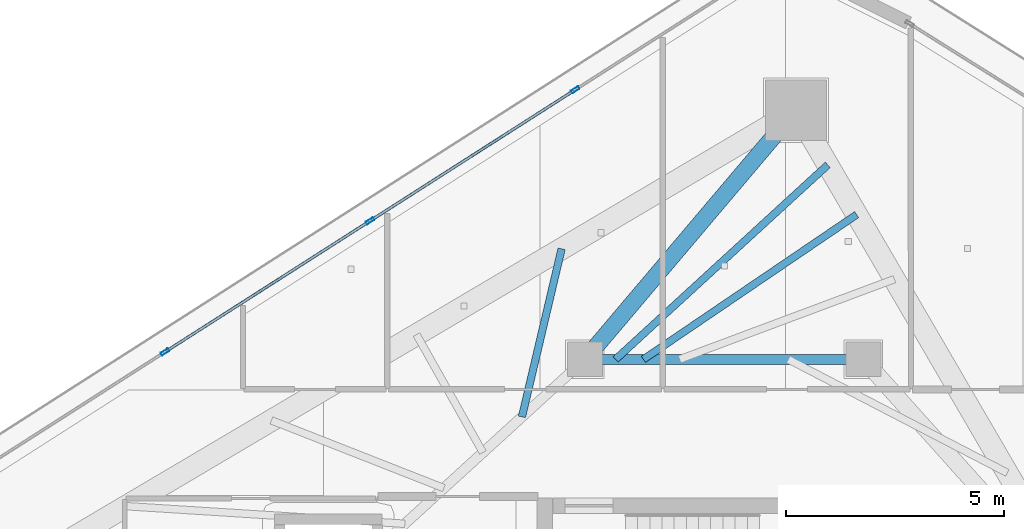
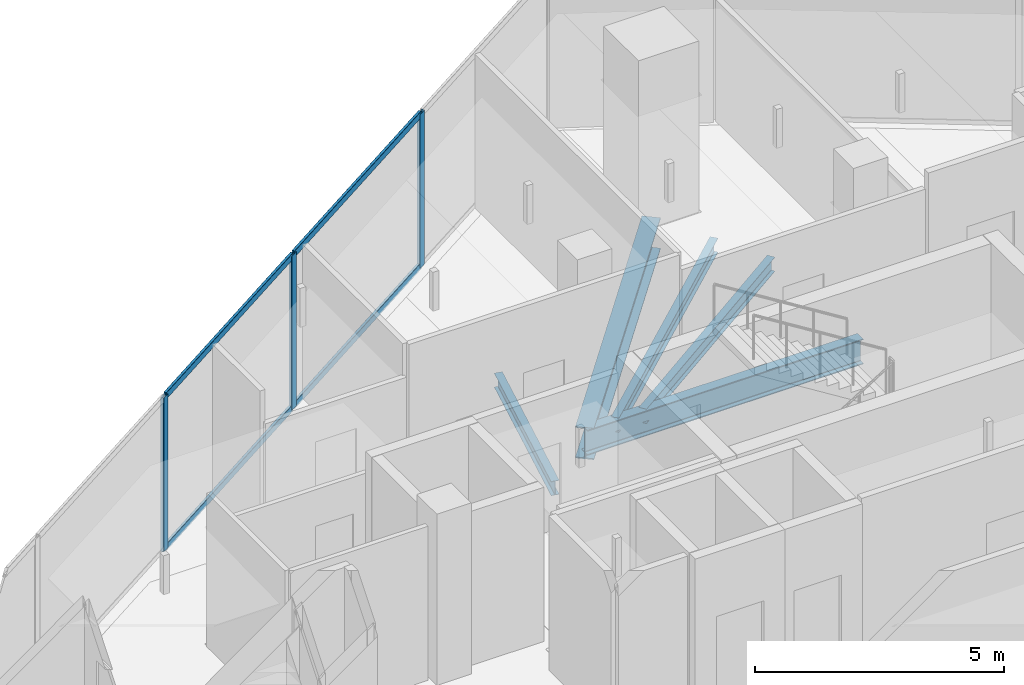
# One storey, part 14 of 26: 7 members, 5 beams, 1 element without a shape of its own.
"""IFC4 building model written with IfcOpenShell, lengths in metres."""

from ifc_helpers import new_model, si_unit, direction, frame, origin, origin_2d, place, context, subcontext, project, spatial, hollow_rectangle, i_section, extrude, material, layer, layer_set, material_profile, profile_set, type_object, element, aggregate, save


model = new_model("IFC4")

# Units and contexts
model_context = context("Model", 3, precision=1e-05, world=origin(), true_north=direction((0.0, 1.0)))
body_context = subcontext(model_context, "Body", "Model", "MODEL_VIEW")
ifc_project = project(units=[si_unit("LENGTHUNIT", "METRE"), si_unit("AREAUNIT", "SQUARE_METRE"), si_unit("VOLUMEUNIT", "CUBIC_METRE"), si_unit("PLANEANGLEUNIT", "RADIAN"), si_unit("MASSUNIT", "GRAM", prefix="KILO")], contexts=[model_context])

# Site, building, storey
site_placement = place(None, origin())
site = spatial("IfcSite", under=ifc_project, at=site_placement, CompositionType="ELEMENT")
building_placement = place(site_placement, origin())
building = spatial("IfcBuilding", under=site, at=building_placement, Name="Qorvath Tower", CompositionType="ELEMENT")
storey_placement = place(building_placement, frame((0.0, 0.0, 322.800048828125)))
storey = spatial("IfcBuildingStorey", under=building, at=storey_placement, Name="L75", CompositionType="ELEMENT", Elevation=322.800048828125)

# Beams
ifc_material_1 = material(Name="Steel ASTM A992 Grade 50", Category="steel")
ifc_material_profile_1 = material_profile(ifc_material_1, i_section(OverallWidth=0.381103515625, OverallDepth=0.77294921875, WebThickness=0.0166015625, FlangeThickness=0.027099609375, FilletRadius=0.01904296875, at=origin_2d()), Name="W30x173")
ifc_profile_set_1 = profile_set([ifc_material_profile_1], Name="Steel ASTM A992 Grade 50")
beam_type_1 = type_object("IfcBeamType", Name="BM-FG3", PredefinedType="BEAM", material=ifc_profile_set_1)
beam_1_placement = place(storey_placement, frame((-23.60009765625, 11.449951171875, -0.676513671875), z_axis=(0.646321389876, 0.763065305848, 0.0), x_axis=(-0.763065305848, 0.646321389876, 0.0)))
element("IfcBeam", 1, at=beam_1_placement, inside=storey, type_object=beam_type_1, Name="Radial Floor Girder CC1-MC6 L75", PredefinedType="BEAM", context=body_context, shape_type="SweptSolid", body=[
    extrude(i_section(OverallWidth=0.381103515625, OverallDepth=0.77294921875, WebThickness=0.0166015625, FlangeThickness=0.027099609375, FilletRadius=0.01904296875, at=origin_2d()), origin(), (0.0, 0.0, 1.0), 7.50341796875),
])
ifc_material_2 = material(Name="Steel ASTM A992 Grade 50", Category="steel")
ifc_material_profile_2 = material_profile(ifc_material_2, i_section(OverallWidth=0.22998046875, OverallDepth=0.616943359375, WebThickness=0.01318359375, FlangeThickness=0.022216796875, FilletRadius=0.014892578125, at=origin_2d()), Name="W24x94")
ifc_profile_set_2 = profile_set([ifc_material_profile_2], Name="Steel ASTM A992 Grade 50")
beam_type_2 = type_object("IfcBeamType", Name="BM-FG6", PredefinedType="BEAM", material=ifc_profile_set_2)
beam_2_placement = place(storey_placement, frame((-23.60009765625, 11.449951171875, -0.5986328125), z_axis=(1.0, 0.0, 0.0), x_axis=(0.0, 1.0, 0.0)))
element("IfcBeam", 2, at=beam_2_placement, inside=storey, type_object=beam_type_2, Name="Core Ring Girder CC1-CC2 L75", PredefinedType="BEAM", context=body_context, shape_type="SweptSolid", body=[
    extrude(i_section(OverallWidth=0.22998046875, OverallDepth=0.616943359375, WebThickness=0.01318359375, FlangeThickness=0.022216796875, FilletRadius=0.014892578125, at=origin_2d()), origin(), (0.0, 0.0, 1.0), 6.400146484375),
])
ifc_material_3 = material(Name="Steel ASTM A992 Grade 50", Category="steel")
ifc_material_profile_3 = material_profile(ifc_material_3, i_section(OverallWidth=0.1708984375, OverallDepth=0.35107421875, WebThickness=0.0068359375, FlangeThickness=0.009765625, FilletRadius=0.010009765625, at=origin_2d()), Name="W14x30")
ifc_profile_set_3 = profile_set([ifc_material_profile_3], Name="Steel ASTM A992 Grade 50")
beam_type_3 = type_object("IfcBeamType", Name="BM-FJ4", PredefinedType="JOIST", material=ifc_profile_set_3)
beam_3_placement = place(storey_placement, frame((-22.256103515625, 11.449951171875, -0.465576171875), z_axis=(0.827400561462, 0.56161224247, 0.0), x_axis=(-0.56161224247, 0.827400561462, 0.0)))
element("IfcBeam", 3, at=beam_3_placement, inside=storey, type_object=beam_type_3, Name="Composite Floor Joist NE6 L75", PredefinedType="JOIST", context=body_context, shape_type="SweptSolid", body=[
    extrude(i_section(OverallWidth=0.1708984375, OverallDepth=0.35107421875, WebThickness=0.0068359375, FlangeThickness=0.009765625, FilletRadius=0.010009765625, at=origin_2d()), origin(), (0.0, 0.0, 1.0), 5.925537109375),
])
beam_4_placement = place(storey_placement, frame((-22.89599609375, 11.449951171875, -0.465576171875), z_axis=(0.737232260457, 0.675639396528, 0.0), x_axis=(-0.675639396528, 0.737232260457, 0.0)))
element("IfcBeam", 4, at=beam_4_placement, inside=storey, type_object=beam_type_3, Name="Composite Floor Joist NE7 L75", PredefinedType="JOIST", context=body_context, shape_type="SweptSolid", body=[
    extrude(i_section(OverallWidth=0.1708984375, OverallDepth=0.35107421875, WebThickness=0.0068359375, FlangeThickness=0.009765625, FilletRadius=0.010009765625, at=origin_2d()), origin(), (0.0, 0.0, 1.0), 6.615478515625),
])
beam_5_placement = place(storey_placement, frame((-25.049072265625, 10.126953125, -0.465576171875), z_axis=(0.22966321917, 0.973270160726, 0.0), x_axis=(-0.973270160726, 0.22966321917, 0.0)))
element("IfcBeam", 5, at=beam_5_placement, inside=storey, type_object=beam_type_3, Name="Composite Floor Joist NW6 L75", PredefinedType="JOIST", context=body_context, shape_type="SweptSolid", body=[
    extrude(i_section(OverallWidth=0.1708984375, OverallDepth=0.35107421875, WebThickness=0.0068359375, FlangeThickness=0.009765625, FilletRadius=0.010009765625, at=origin_2d()), origin(), (0.0, 0.0, 1.0), 3.969482421875),
])

# Curtain wall, members
ifc_material_4 = material(Name="Anodised aluminium and triple low-E glass", Category="aluminium")
ifc_layer = layer(ifc_material_4, 0.179931640625)
ifc_layer_set = layer_set([ifc_layer], Name="CW-SYS-4")
curtain_wall_type = type_object("IfcCurtainWallType", Name="CW-SYS-4", PredefinedType="NOTDEFINED", material=ifc_layer_set)
curtain_wall_placement = place(storey_placement, origin())
curtain_wall = element("IfcCurtainWall", 6, at=curtain_wall_placement, inside=storey, type_object=curtain_wall_type, Name="Curtain Wall CW-4 CW-T-L75-16.1", PredefinedType="NOTDEFINED")
ifc_material_5 = material(Name="Anodised aluminium 6063-T6", Category="aluminium")
ifc_material_profile_4 = material_profile(ifc_material_5, hollow_rectangle(XDim=0.074951171875, YDim=0.199951171875, WallThickness=0.00390625, InnerFilletRadius=0.00390625, OuterFilletRadius=0.008056640625, at=origin_2d()), Name="CWM 200x75")
ifc_profile_set_4 = profile_set([ifc_material_profile_4], Name="Anodised aluminium 6063-T6")
member_type_1 = type_object("IfcMemberType", Name="CWM-200", PredefinedType="MULLION", material=ifc_profile_set_4)
member_1_placement = place(storey_placement, frame((-23.827880859375, 17.6435546875, 0.0), z_axis=(0.0, 0.0, 1.0), x_axis=(0.538535622768, -0.842602743296, 0.0)))
member_1 = element("IfcMember", 7, at=member_1_placement, type_object=member_type_1, Name="CW-4 mullion 2", PredefinedType="MULLION", context=body_context, shape_type="SweptSolid", body=[
    extrude(hollow_rectangle(XDim=0.074951171875, YDim=0.199951171875, WallThickness=0.00390625, InnerFilletRadius=0.00390625, OuterFilletRadius=0.008056640625, at=origin_2d()), origin(), (0.0, 0.0, 1.0), 3.780029296875),
])
member_2_placement = place(storey_placement, frame((-28.541015625, 14.631103515625, 0.0), z_axis=(0.0, 0.0, 1.0), x_axis=(0.538535622768, -0.842602743296, 0.0)))
member_2 = element("IfcMember", 8, at=member_2_placement, type_object=member_type_1, Name="CW-4 mullion 3", PredefinedType="MULLION", context=body_context, shape_type="SweptSolid", body=[
    extrude(hollow_rectangle(XDim=0.074951171875, YDim=0.199951171875, WallThickness=0.00390625, InnerFilletRadius=0.00390625, OuterFilletRadius=0.008056640625, at=origin_2d()), origin(), (0.0, 0.0, 1.0), 3.780029296875),
])
member_3_placement = place(storey_placement, frame((-33.25390625, 11.618896484375, 0.0), z_axis=(0.0, 0.0, 1.0), x_axis=(0.538535622768, -0.842602743296, 0.0)))
member_3 = element("IfcMember", 9, at=member_3_placement, type_object=member_type_1, Name="CW-4 mullion 4", PredefinedType="MULLION", context=body_context, shape_type="SweptSolid", body=[
    extrude(hollow_rectangle(XDim=0.074951171875, YDim=0.199951171875, WallThickness=0.00390625, InnerFilletRadius=0.00390625, OuterFilletRadius=0.008056640625, at=origin_2d()), origin(), (0.0, 0.0, 1.0), 3.780029296875),
])
ifc_material_6 = material(Name="Anodised aluminium 6063-T6", Category="aluminium")
ifc_material_profile_5 = material_profile(ifc_material_6, hollow_rectangle(XDim=0.06494140625, YDim=0.159912109375, WallThickness=0.00341796875, InnerFilletRadius=0.00341796875, OuterFilletRadius=0.007080078125, at=origin_2d()), Name="CWT 160x65")
ifc_profile_set_5 = profile_set([ifc_material_profile_5], Name="Anodised aluminium 6063-T6")
member_type_2 = type_object("IfcMemberType", Name="CWT-160", PredefinedType="USERDEFINED", material=ifc_profile_set_5)
member_4_placement = place(storey_placement, frame((-23.859375, 17.623291015625, 0.032470703125), z_axis=(-0.842601463346, -0.538537625397, 0.0), x_axis=(0.538537625397, -0.842601463346, 0.0)))
member_4 = element("IfcMember", 10, at=member_4_placement, type_object=member_type_2, Name="CW-4 transom 2.1", ObjectType="TRANSOM", PredefinedType="USERDEFINED", context=body_context, shape_type="SweptSolid", body=[
    extrude(hollow_rectangle(XDim=0.06494140625, YDim=0.159912109375, WallThickness=0.00341796875, InnerFilletRadius=0.00341796875, OuterFilletRadius=0.007080078125, at=origin_2d()), origin(), (0.0, 0.0, 1.0), 5.5185546875),
])
member_5_placement = place(storey_placement, frame((-23.859375, 17.623291015625, 3.74755859375), z_axis=(-0.842601463346, -0.538537625397, 0.0), x_axis=(0.538537625397, -0.842601463346, 0.0)))
member_5 = element("IfcMember", 11, at=member_5_placement, type_object=member_type_2, Name="CW-4 transom 2.2", ObjectType="TRANSOM", PredefinedType="USERDEFINED", context=body_context, shape_type="SweptSolid", body=[
    extrude(hollow_rectangle(XDim=0.06494140625, YDim=0.159912109375, WallThickness=0.00341796875, InnerFilletRadius=0.00341796875, OuterFilletRadius=0.007080078125, at=origin_2d()), origin(), (0.0, 0.0, 1.0), 5.5185546875),
])
member_6_placement = place(storey_placement, frame((-28.572509765625, 14.611083984375, 0.032470703125), z_axis=(-0.842601463346, -0.538537625397, 0.0), x_axis=(0.538537625397, -0.842601463346, 0.0)))
member_6 = element("IfcMember", 12, at=member_6_placement, type_object=member_type_2, Name="CW-4 transom 3.1", ObjectType="TRANSOM", PredefinedType="USERDEFINED", context=body_context, shape_type="SweptSolid", body=[
    extrude(hollow_rectangle(XDim=0.06494140625, YDim=0.159912109375, WallThickness=0.00341796875, InnerFilletRadius=0.00341796875, OuterFilletRadius=0.007080078125, at=origin_2d()), origin(), (0.0, 0.0, 1.0), 5.5185546875),
])
member_7_placement = place(storey_placement, frame((-28.572509765625, 14.611083984375, 3.74755859375), z_axis=(-0.842601463346, -0.538537625397, 0.0), x_axis=(0.538537625397, -0.842601463346, 0.0)))
member_7 = element("IfcMember", 13, at=member_7_placement, type_object=member_type_2, Name="CW-4 transom 3.2", ObjectType="TRANSOM", PredefinedType="USERDEFINED", context=body_context, shape_type="SweptSolid", body=[
    extrude(hollow_rectangle(XDim=0.06494140625, YDim=0.159912109375, WallThickness=0.00341796875, InnerFilletRadius=0.00341796875, OuterFilletRadius=0.007080078125, at=origin_2d()), origin(), (0.0, 0.0, 1.0), 5.5185546875),
])
aggregate(curtain_wall, [member_1, member_2, member_3, member_4, member_5, member_6, member_7])

save(model, "model.ifc")
